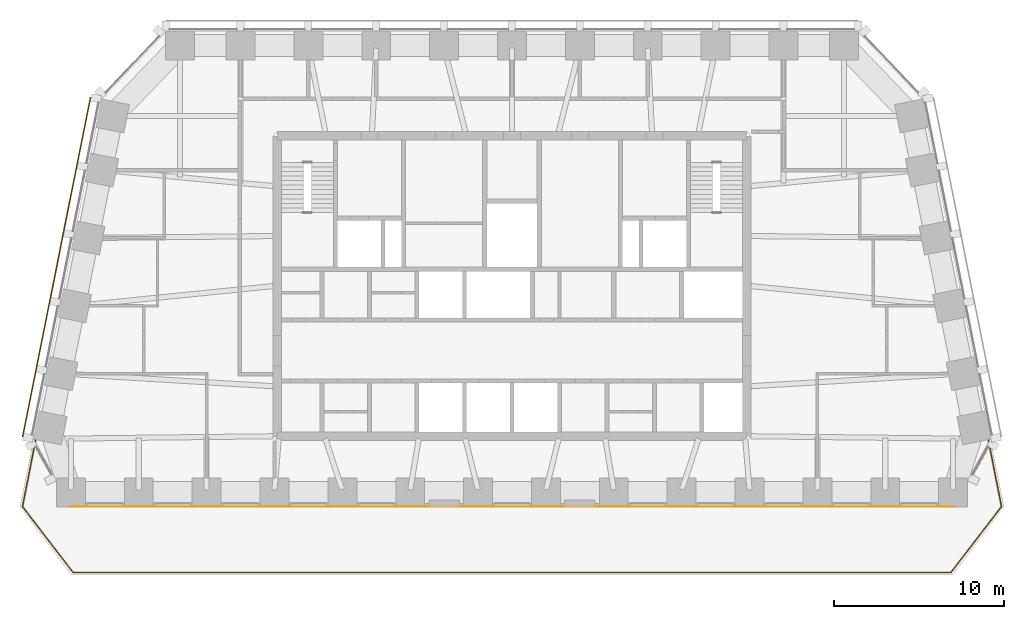
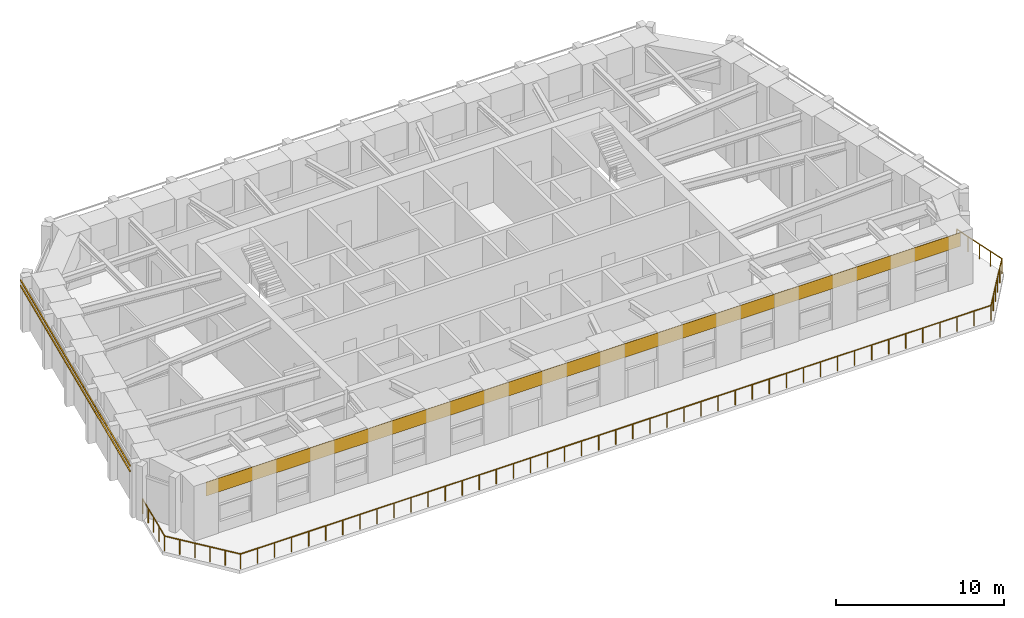
# One storey, part 8 of 9: 2 shading devices, 1 covering, 1 railing.
"""IFC4 building model written with IfcOpenShell, lengths in metres."""

from ifc_helpers import new_model, si_unit, direction, frame, origin, origin_2d, place, context, subcontext, project, spatial, rectangle, circle, extrude, material, layer, layer_set, material_profile, profile_set, type_object, element, save


model = new_model("IFC4")

# Units and contexts
model_context = context("Model", 3, precision=1e-05, world=origin(), true_north=direction((0.0, 1.0)))
body_context = subcontext(model_context, "Body", "Model", "MODEL_VIEW")
ifc_project = project(units=[si_unit("LENGTHUNIT", "METRE"), si_unit("AREAUNIT", "SQUARE_METRE"), si_unit("VOLUMEUNIT", "CUBIC_METRE"), si_unit("PLANEANGLEUNIT", "RADIAN"), si_unit("MASSUNIT", "GRAM", prefix="KILO")], contexts=[model_context])

# Site, building, storey
site_placement = place(None, origin())
site = spatial("IfcSite", under=ifc_project, at=site_placement, CompositionType="ELEMENT")
building_placement = place(site_placement, origin())
building = spatial("IfcBuilding", under=site, at=building_placement, Name="Isbrekke Arena Tower", CompositionType="ELEMENT")
storey_placement = place(building_placement, frame((0.0, 0.0, 308.0)))
storey = spatial("IfcBuildingStorey", under=building, at=storey_placement, Name="L72", CompositionType="ELEMENT", Elevation=308.0)

# Shading devices
ifc_material_1 = material(Name="Terracotta", Category="masonry")
ifc_material_profile = material_profile(ifc_material_1, rectangle(XDim=0.06005859375, YDim=0.06005859375, at=origin_2d()), Name="BAGUETTE 60X60")
ifc_profile_set = profile_set([ifc_material_profile], Name="Terracotta")
shading_device_type = type_object("IfcShadingDeviceType", Name="BG1 TERRACOTTA BAGUETTE 60 x 60", PredefinedType="USERDEFINED", material=ifc_profile_set)
for number, where, z_axis, x_axis, name in (
    (1, (-24.84228515625, 26.12841796875, 3.280029296875), (-0.196116135138, -0.980580675691, 0.0), (0.980580675691, -0.196116135138, 0.0), "BG1 terracotta baguette W1 L72"),
    (2, (-24.84228515625, 26.12841796875, 3.679931640625), (-0.196116135138, -0.980580675691, 0.0), (0.980580675691, -0.196116135138, 0.0), "BG1 terracotta baguette W2 L72"),
):
    element("IfcShadingDevice", number, at=place(storey_placement, frame(where, z_axis=z_axis, x_axis=x_axis)), inside=storey, type_object=shading_device_type, Name=name, ObjectType="TERRACOTTA BAGUETTE", PredefinedType="USERDEFINED", context=body_context, shape_type="SweptSolid", body=[
        extrude(rectangle(XDim=0.06005859375, YDim=0.06005859375, at=origin_2d()), origin(), (0.0, 0.0, 1.0), 20.39599609375),
    ])

# Covering
ifc_material_2 = material(Name="Pre-patinated copper sheet", Category="metal")
ifc_layer = layer(ifc_material_2, 0.02001953125)
ifc_layer_set = layer_set([ifc_layer], Name="CL1 COPPER CLADDING")
covering_type = type_object("IfcCoveringType", Name="CL1 COPPER CLADDING", PredefinedType="CLADDING", material=ifc_layer_set)
covering_placement = place(storey_placement, frame((0.0, 1.989990234375, 3.0), z_axis=(0.0, 0.0, 1.0), x_axis=(1.0, 0.0, 0.0)))
element("IfcCovering", 3, at=covering_placement, inside=storey, type_object=covering_type, Name="CL1 copper cladding L72", PredefinedType="CLADDING", context=body_context, shape_type="SweptSolid", body=[
    extrude(rectangle(XDim=52.0, YDim=0.02001953125, at=origin_2d()), origin(), (0.0, 0.0, 1.0), 1.0),
])

# Railing
ifc_material_3 = material(Name="Galvanised steel guard", Category="steel")
railing_type = type_object("IfcRailingType", Name="GR2 TERRACE GUARD 1100", PredefinedType="GUARDRAIL", material=ifc_material_3)
railing_placement = place(storey_placement, frame((-28.05908203125, 6.0, 0.0)))
element("IfcRailing", 4, at=railing_placement, inside=storey, type_object=railing_type, Name="GR2 terrace guard L72", PredefinedType="GUARDRAIL", context=body_context, shape_type="SweptSolid", body=[
    extrude(circle(Radius=0.02392578125, at=origin_2d()), frame((0.0, 0.0, 1.076171875), z_axis=(-0.195149043574, -0.980773598132, 0.0), x_axis=(0.980773598132, -0.195149043574, 0.0)), (0.0, 0.0, 1.0), 4.078369140625),
    extrude(circle(Radius=0.02392578125, at=origin_2d()), frame((-0.7958984375, -4.0, 1.076171875), z_axis=(0.609754144371, -0.792590615275, 0.0), x_axis=(0.792590615275, 0.609754144371, 0.0)), (0.0, 0.0, 1.0), 4.895263671875),
    extrude(circle(Radius=0.02392578125, at=origin_2d()), frame((2.18896484375, -7.8798828125, 1.076171875), z_axis=(1.0, 0.0, 0.0), x_axis=(0.0, 1.0, 0.0)), (0.0, 0.0, 1.0), 51.740234375),
    extrude(circle(Radius=0.02392578125, at=origin_2d()), frame((53.92919921875, -7.8798828125, 1.076171875), z_axis=(0.609754144371, 0.792590615275, 0.0), x_axis=(-0.792590615275, 0.609754144371, 0.0)), (0.0, 0.0, 1.0), 4.895263671875),
    extrude(circle(Radius=0.02392578125, at=origin_2d()), frame((56.9140625, -4.0, 1.076171875), z_axis=(-0.195149043574, 0.980773598132, 0.0), x_axis=(-0.980773598132, -0.195149043574, 0.0)), (0.0, 0.0, 1.0), 4.078369140625),
    extrude(circle(Radius=0.02099609375, at=origin_2d()), origin(), (0.0, 0.0, 1.0), 1.052001953125),
    extrude(circle(Radius=0.02099609375, at=origin_2d()), frame((-0.198974609375, -1.0, 0.0)), (0.0, 0.0, 1.0), 1.052001953125),
    extrude(circle(Radius=0.02099609375, at=origin_2d()), frame((-0.39794921875, -2.0, 0.0)), (0.0, 0.0, 1.0), 1.052001953125),
    extrude(circle(Radius=0.02099609375, at=origin_2d()), frame((-0.596923828125, -3.0, 0.0)), (0.0, 0.0, 1.0), 1.052001953125),
    extrude(circle(Radius=0.02099609375, at=origin_2d()), frame((-0.7958984375, -4.0, 0.0)), (0.0, 0.0, 1.0), 1.052001953125),
    extrude(circle(Radius=0.02099609375, at=origin_2d()), frame((-0.198974609375, -4.77587890625, 0.0)), (0.0, 0.0, 1.0), 1.052001953125),
    extrude(circle(Radius=0.02099609375, at=origin_2d()), frame((0.39794921875, -5.552001953125, 0.0)), (0.0, 0.0, 1.0), 1.052001953125),
    extrude(circle(Radius=0.02099609375, at=origin_2d()), frame((0.9951171875, -6.327880859375, 0.0)), (0.0, 0.0, 1.0), 1.052001953125),
    extrude(circle(Radius=0.02099609375, at=origin_2d()), frame((1.592041015625, -7.10400390625, 0.0)), (0.0, 0.0, 1.0), 1.052001953125),
    extrude(circle(Radius=0.02099609375, at=origin_2d()), frame((2.18896484375, -7.8798828125, 0.0)), (0.0, 0.0, 1.0), 1.052001953125),
    extrude(circle(Radius=0.02099609375, at=origin_2d()), frame((3.364990234375, -7.8798828125, 0.0)), (0.0, 0.0, 1.0), 1.052001953125),
    extrude(circle(Radius=0.02099609375, at=origin_2d()), frame((4.540771484375, -7.8798828125, 0.0)), (0.0, 0.0, 1.0), 1.052001953125),
    extrude(circle(Radius=0.02099609375, at=origin_2d()), frame((5.716796875, -7.8798828125, 0.0)), (0.0, 0.0, 1.0), 1.052001953125),
    extrude(circle(Radius=0.02099609375, at=origin_2d()), frame((6.892578125, -7.8798828125, 0.0)), (0.0, 0.0, 1.0), 1.052001953125),
    extrude(circle(Radius=0.02099609375, at=origin_2d()), frame((8.068603515625, -7.8798828125, 0.0)), (0.0, 0.0, 1.0), 1.052001953125),
    extrude(circle(Radius=0.02099609375, at=origin_2d()), frame((9.244384765625, -7.8798828125, 0.0)), (0.0, 0.0, 1.0), 1.052001953125),
    extrude(circle(Radius=0.02099609375, at=origin_2d()), frame((10.42041015625, -7.8798828125, 0.0)), (0.0, 0.0, 1.0), 1.052001953125),
    extrude(circle(Radius=0.02099609375, at=origin_2d()), frame((11.59619140625, -7.8798828125, 0.0)), (0.0, 0.0, 1.0), 1.052001953125),
    extrude(circle(Radius=0.02099609375, at=origin_2d()), frame((12.772216796875, -7.8798828125, 0.0)), (0.0, 0.0, 1.0), 1.052001953125),
    extrude(circle(Radius=0.02099609375, at=origin_2d()), frame((13.947998046875, -7.8798828125, 0.0)), (0.0, 0.0, 1.0), 1.052001953125),
    extrude(circle(Radius=0.02099609375, at=origin_2d()), frame((15.1240234375, -7.8798828125, 0.0)), (0.0, 0.0, 1.0), 1.052001953125),
    extrude(circle(Radius=0.02099609375, at=origin_2d()), frame((16.300048828125, -7.8798828125, 0.0)), (0.0, 0.0, 1.0), 1.052001953125),
    extrude(circle(Radius=0.02099609375, at=origin_2d()), frame((17.475830078125, -7.8798828125, 0.0)), (0.0, 0.0, 1.0), 1.052001953125),
    extrude(circle(Radius=0.02099609375, at=origin_2d()), frame((18.65185546875, -7.8798828125, 0.0)), (0.0, 0.0, 1.0), 1.052001953125),
    extrude(circle(Radius=0.02099609375, at=origin_2d()), frame((19.82763671875, -7.8798828125, 0.0)), (0.0, 0.0, 1.0), 1.052001953125),
    extrude(circle(Radius=0.02099609375, at=origin_2d()), frame((21.003662109375, -7.8798828125, 0.0)), (0.0, 0.0, 1.0), 1.052001953125),
    extrude(circle(Radius=0.02099609375, at=origin_2d()), frame((22.179443359375, -7.8798828125, 0.0)), (0.0, 0.0, 1.0), 1.052001953125),
    extrude(circle(Radius=0.02099609375, at=origin_2d()), frame((23.35546875, -7.8798828125, 0.0)), (0.0, 0.0, 1.0), 1.052001953125),
    extrude(circle(Radius=0.02099609375, at=origin_2d()), frame((24.53125, -7.8798828125, 0.0)), (0.0, 0.0, 1.0), 1.052001953125),
    extrude(circle(Radius=0.02099609375, at=origin_2d()), frame((25.707275390625, -7.8798828125, 0.0)), (0.0, 0.0, 1.0), 1.052001953125),
    extrude(circle(Radius=0.02099609375, at=origin_2d()), frame((26.883056640625, -7.8798828125, 0.0)), (0.0, 0.0, 1.0), 1.052001953125),
    extrude(circle(Radius=0.02099609375, at=origin_2d()), frame((28.05908203125, -7.8798828125, 0.0)), (0.0, 0.0, 1.0), 1.052001953125),
    extrude(circle(Radius=0.02099609375, at=origin_2d()), frame((29.235107421875, -7.8798828125, 0.0)), (0.0, 0.0, 1.0), 1.052001953125),
    extrude(circle(Radius=0.02099609375, at=origin_2d()), frame((30.410888671875, -7.8798828125, 0.0)), (0.0, 0.0, 1.0), 1.052001953125),
    extrude(circle(Radius=0.02099609375, at=origin_2d()), frame((31.5869140625, -7.8798828125, 0.0)), (0.0, 0.0, 1.0), 1.052001953125),
    extrude(circle(Radius=0.02099609375, at=origin_2d()), frame((32.7626953125, -7.8798828125, 0.0)), (0.0, 0.0, 1.0), 1.052001953125),
    extrude(circle(Radius=0.02099609375, at=origin_2d()), frame((33.938720703125, -7.8798828125, 0.0)), (0.0, 0.0, 1.0), 1.052001953125),
    extrude(circle(Radius=0.02099609375, at=origin_2d()), frame((35.114501953125, -7.8798828125, 0.0)), (0.0, 0.0, 1.0), 1.052001953125),
    extrude(circle(Radius=0.02099609375, at=origin_2d()), frame((36.29052734375, -7.8798828125, 0.0)), (0.0, 0.0, 1.0), 1.052001953125),
    extrude(circle(Radius=0.02099609375, at=origin_2d()), frame((37.46630859375, -7.8798828125, 0.0)), (0.0, 0.0, 1.0), 1.052001953125),
    extrude(circle(Radius=0.02099609375, at=origin_2d()), frame((38.642333984375, -7.8798828125, 0.0)), (0.0, 0.0, 1.0), 1.052001953125),
    extrude(circle(Radius=0.02099609375, at=origin_2d()), frame((39.818115234375, -7.8798828125, 0.0)), (0.0, 0.0, 1.0), 1.052001953125),
    extrude(circle(Radius=0.02099609375, at=origin_2d()), frame((40.994140625, -7.8798828125, 0.0)), (0.0, 0.0, 1.0), 1.052001953125),
    extrude(circle(Radius=0.02099609375, at=origin_2d()), frame((42.170166015625, -7.8798828125, 0.0)), (0.0, 0.0, 1.0), 1.052001953125),
    extrude(circle(Radius=0.02099609375, at=origin_2d()), frame((43.345947265625, -7.8798828125, 0.0)), (0.0, 0.0, 1.0), 1.052001953125),
    extrude(circle(Radius=0.02099609375, at=origin_2d()), frame((44.52197265625, -7.8798828125, 0.0)), (0.0, 0.0, 1.0), 1.052001953125),
    extrude(circle(Radius=0.02099609375, at=origin_2d()), frame((45.69775390625, -7.8798828125, 0.0)), (0.0, 0.0, 1.0), 1.052001953125),
    extrude(circle(Radius=0.02099609375, at=origin_2d()), frame((46.873779296875, -7.8798828125, 0.0)), (0.0, 0.0, 1.0), 1.052001953125),
    extrude(circle(Radius=0.02099609375, at=origin_2d()), frame((48.049560546875, -7.8798828125, 0.0)), (0.0, 0.0, 1.0), 1.052001953125),
    extrude(circle(Radius=0.02099609375, at=origin_2d()), frame((49.2255859375, -7.8798828125, 0.0)), (0.0, 0.0, 1.0), 1.052001953125),
    extrude(circle(Radius=0.02099609375, at=origin_2d()), frame((50.4013671875, -7.8798828125, 0.0)), (0.0, 0.0, 1.0), 1.052001953125),
    extrude(circle(Radius=0.02099609375, at=origin_2d()), frame((51.577392578125, -7.8798828125, 0.0)), (0.0, 0.0, 1.0), 1.052001953125),
    extrude(circle(Radius=0.02099609375, at=origin_2d()), frame((52.753173828125, -7.8798828125, 0.0)), (0.0, 0.0, 1.0), 1.052001953125),
    extrude(circle(Radius=0.02099609375, at=origin_2d()), frame((53.92919921875, -7.8798828125, 0.0)), (0.0, 0.0, 1.0), 1.052001953125),
    extrude(circle(Radius=0.02099609375, at=origin_2d()), frame((54.526123046875, -7.10400390625, 0.0)), (0.0, 0.0, 1.0), 1.052001953125),
    extrude(circle(Radius=0.02099609375, at=origin_2d()), frame((55.123046875, -6.327880859375, 0.0)), (0.0, 0.0, 1.0), 1.052001953125),
    extrude(circle(Radius=0.02099609375, at=origin_2d()), frame((55.72021484375, -5.552001953125, 0.0)), (0.0, 0.0, 1.0), 1.052001953125),
    extrude(circle(Radius=0.02099609375, at=origin_2d()), frame((56.317138671875, -4.77587890625, 0.0)), (0.0, 0.0, 1.0), 1.052001953125),
    extrude(circle(Radius=0.02099609375, at=origin_2d()), frame((56.9140625, -4.0, 0.0)), (0.0, 0.0, 1.0), 1.052001953125),
    extrude(circle(Radius=0.02099609375, at=origin_2d()), frame((56.715087890625, -3.0, 0.0)), (0.0, 0.0, 1.0), 1.052001953125),
    extrude(circle(Radius=0.02099609375, at=origin_2d()), frame((56.51611328125, -2.0, 0.0)), (0.0, 0.0, 1.0), 1.052001953125),
    extrude(circle(Radius=0.02099609375, at=origin_2d()), frame((56.317138671875, -1.0, 0.0)), (0.0, 0.0, 1.0), 1.052001953125),
    extrude(circle(Radius=0.02099609375, at=origin_2d()), frame((56.1181640625, 0.0, 0.0)), (0.0, 0.0, 1.0), 1.052001953125),
])

save(model, "model.ifc")
